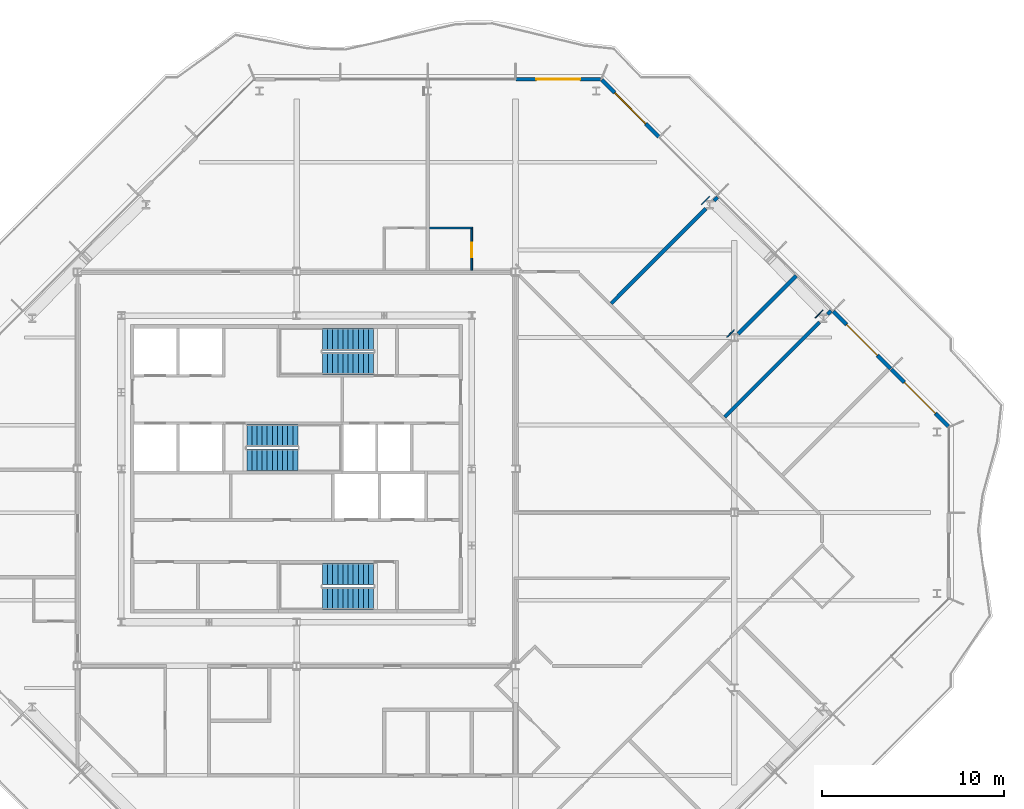
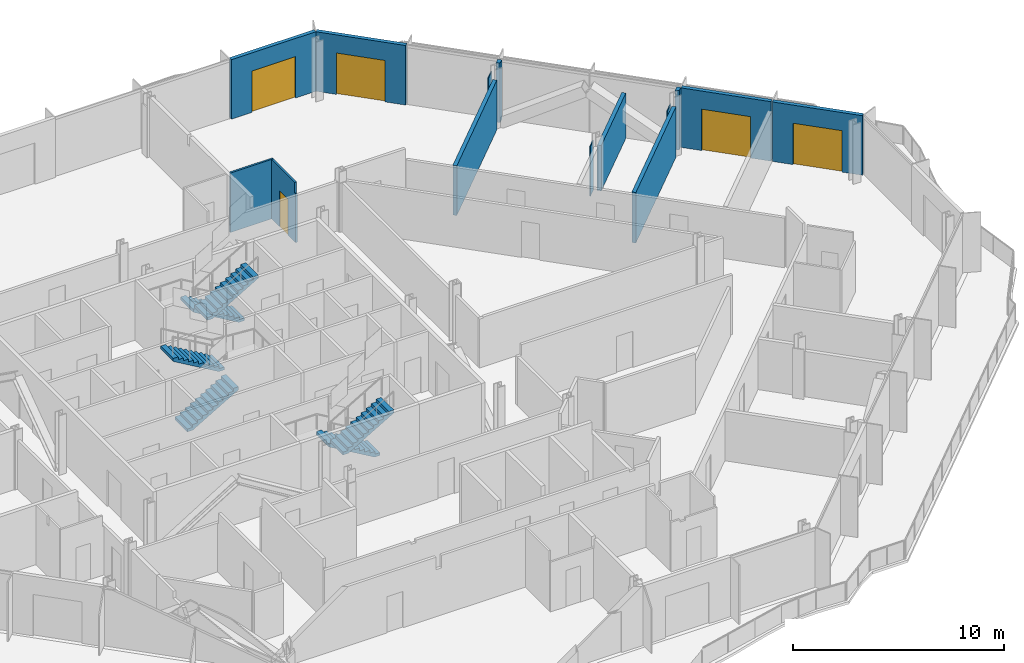
# One storey, part 12 of 17: 14 walls, 6 stair flights, 5 doors, 5 openings, 3 elements without a shape of their own.
"""IFC4 building model written with IfcOpenShell, lengths in metres."""

from ifc_helpers import new_model, si_unit, direction, frame, frame_2d, origin, place, context, subcontext, project, spatial, polyline, rectangle, outline, extrude, material, layer, layer_set, type_object, element, fill, aggregate, save


model = new_model("IFC4")

# Units and contexts
model_context = context("Model", 3, precision=1e-05, world=origin(), true_north=direction((0.0, 1.0)))
body_context = subcontext(model_context, "Body", "Model", "MODEL_VIEW")
ifc_project = project(units=[si_unit("LENGTHUNIT", "METRE"), si_unit("AREAUNIT", "SQUARE_METRE"), si_unit("VOLUMEUNIT", "CUBIC_METRE"), si_unit("PLANEANGLEUNIT", "RADIAN"), si_unit("MASSUNIT", "GRAM", prefix="KILO")], contexts=[model_context])

# Site, building, storey
site_placement = place(None, origin())
site = spatial("IfcSite", under=ifc_project, at=site_placement, CompositionType="ELEMENT")
building_placement = place(site_placement, origin())
building = spatial("IfcBuilding", under=site, at=building_placement, Name="Cairn Pilgrim Tower", CompositionType="ELEMENT")
storey_placement = place(building_placement, frame((0.0, 0.0, 210.60009765625)))
storey = spatial("IfcBuildingStorey", under=building, at=storey_placement, Name="L53", CompositionType="ELEMENT", Elevation=210.60009765625)

# Wall, opening, door
ifc_material_1 = material(Name="Bronze anodised aluminium insulated sandwich panel with mineral wool fill", Category="aluminium")
ifc_layer_1 = layer(ifc_material_1, 0.199951171875)
ifc_layer_set_1 = layer_set([ifc_layer_1], Name="BRONZE INFILL FRAME WALL 200")
wall_type_1 = type_object("IfcWallType", Name="BRONZE INFILL FRAME WALL 200", PredefinedType="NOTDEFINED", material=ifc_layer_set_1)
wall_1_placement = place(storey_placement, frame((42.921630859375, 4.724609375, 0.0), z_axis=(0.0, 0.0, 1.0), x_axis=(-0.707079168996, 0.707134392299, 0.0)))
wall_1 = element("IfcWall", 1, at=wall_1_placement, inside=storey, type_object=wall_type_1, Name="Bronze infill frame wall IW-NE1", PredefinedType="NOTDEFINED", context=body_context, shape_type="SweptSolid", body=[
    extrude(rectangle(XDim=4.4208984375, YDim=0.199951171875, at=frame_2d((2.21044921875, 0.0))), origin(), (0.0, 0.0, 1.0), 3.449951171875),
])
opening_1_placement = place(wall_1_placement, frame((1.00537109375, 0.0, 0.0)))
opening_1 = element("IfcOpeningElement", 2, at=opening_1_placement, cuts=wall_1, Name="Opening 5304B2", PredefinedType="OPENING", context=body_context, shape_type="SweptSolid", body=[
    extrude(rectangle(XDim=2.39990234375, YDim=2.39990234375, at=frame_2d((1.199951171875, 1.199951171875))), frame((0.0, 0.10986328125, 0.0), z_axis=(0.0, -1.0, 0.0), x_axis=(1.0, 0.0, 0.0)), (0.0, 0.0, 1.0), 0.219970703125),
])
ifc_material_2 = material(Name="Bronze anodised aluminium frame with tinted low-E glass", Category="aluminium")
door_type_1 = type_object("IfcDoorType", Name="BALCONY SLIDING DOOR 2400x2400", OperationType="DOUBLE_DOOR_SLIDING", PredefinedType="DOOR", material=ifc_material_2)
door_1_placement = place(opening_1_placement, origin())
door_1 = element("IfcDoor", 3, at=door_1_placement, inside=storey, type_object=door_type_1, Name="Balcony sliding door 5304B2", OperationType="SINGLE_SWING_LEFT", OverallHeight=2.39990234375, OverallWidth=2.39990234375, PredefinedType="DOOR", context=body_context, shape_type="SweptSolid", body=[
    extrude(rectangle(XDim=2.39990234375, YDim=2.39990234375, at=frame_2d((1.199951171875, 1.199951171875))), frame((0.0, 0.02490234375, 0.0), z_axis=(0.0, -1.0, 0.0), x_axis=(1.0, 0.0, 0.0)), (0.0, 0.0, 1.0), 0.050048828125),
])
fill(opening_1, door_1)

wall_2_placement = place(storey_placement, frame((39.753173828125, 7.893310546875, 0.0), z_axis=(0.0, 0.0, 1.0), x_axis=(-0.707106781187, 0.707106781187, 0.0)))
wall_2 = element("IfcWall", 4, at=wall_2_placement, inside=storey, type_object=wall_type_1, Name="Bronze infill frame wall IW-NE2", PredefinedType="NOTDEFINED", context=body_context, shape_type="SweptSolid", body=[
    extrude(rectangle(XDim=4.430908203125, YDim=0.199951171875, at=frame_2d((2.21533203125, 0.0))), origin(), (0.0, 0.0, 1.0), 3.449951171875),
])
opening_2_placement = place(wall_2_placement, frame((1.015625, 0.0, 0.0)))
opening_2 = element("IfcOpeningElement", 5, at=opening_2_placement, cuts=wall_2, Name="Opening 5305B", PredefinedType="OPENING", context=body_context, shape_type="SweptSolid", body=[
    extrude(rectangle(XDim=2.39990234375, YDim=2.39990234375, at=frame_2d((1.199951171875, 1.199951171875))), frame((0.0, 0.10986328125, 0.0), z_axis=(0.0, -1.0, 0.0), x_axis=(1.0, 0.0, 0.0)), (0.0, 0.0, 1.0), 0.219970703125),
])
door_2_placement = place(opening_2_placement, origin())
door_2 = element("IfcDoor", 6, at=door_2_placement, inside=storey, type_object=door_type_1, Name="Balcony sliding door 5305B", OperationType="SINGLE_SWING_LEFT", OverallHeight=2.39990234375, OverallWidth=2.39990234375, PredefinedType="DOOR", context=body_context, shape_type="SweptSolid", body=[
    extrude(rectangle(XDim=2.39990234375, YDim=2.39990234375, at=frame_2d((1.199951171875, 1.199951171875))), frame((0.0, 0.02490234375, 0.0), z_axis=(0.0, -1.0, 0.0), x_axis=(1.0, 0.0, 0.0)), (0.0, 0.0, 1.0), 0.050048828125),
])
fill(opening_2, door_2)

wall_3_placement = place(storey_placement, frame((27.05078125, 20.595703125, 0.0), z_axis=(0.0, 0.0, 1.0), x_axis=(-0.707106781187, 0.707106781187, 0.0)))
wall_3 = element("IfcWall", 7, at=wall_3_placement, inside=storey, type_object=wall_type_1, Name="Bronze infill frame wall IW-NE6", PredefinedType="NOTDEFINED", context=body_context, shape_type="SweptSolid", body=[
    extrude(rectangle(XDim=4.4208984375, YDim=0.199951171875, at=frame_2d((2.21044921875, 0.0))), origin(), (0.0, 0.0, 1.0), 3.449951171875),
])
opening_3_placement = place(wall_3_placement, frame((1.01513671875, 0.0, 0.0)))
opening_3 = element("IfcOpeningElement", 8, at=opening_3_placement, cuts=wall_3, Name="Opening 5308B", PredefinedType="OPENING", context=body_context, shape_type="SweptSolid", body=[
    extrude(rectangle(XDim=2.39990234375, YDim=2.39990234375, at=frame_2d((1.199951171875, 1.199951171875))), frame((0.0, 0.10986328125, 0.0), z_axis=(0.0, -1.0, 0.0), x_axis=(1.0, 0.0, 0.0)), (0.0, 0.0, 1.0), 0.219970703125),
])
door_3_placement = place(opening_3_placement, origin())
door_3 = element("IfcDoor", 9, at=door_3_placement, inside=storey, type_object=door_type_1, Name="Balcony sliding door 5308B", OperationType="SINGLE_SWING_LEFT", OverallHeight=2.39990234375, OverallWidth=2.39990234375, PredefinedType="DOOR", context=body_context, shape_type="SweptSolid", body=[
    extrude(rectangle(XDim=2.39990234375, YDim=2.39990234375, at=frame_2d((1.199951171875, 1.199951171875))), frame((0.0, 0.02490234375, 0.0), z_axis=(0.0, -1.0, 0.0), x_axis=(1.0, 0.0, 0.0)), (0.0, 0.0, 1.0), 0.050048828125),
])
fill(opening_3, door_3)

wall_4_placement = place(storey_placement, frame((23.8564453125, 23.75, 0.0), z_axis=(0.0, 0.0, 1.0), x_axis=(-1.0, 0.0, 0.0)))
wall_4 = element("IfcWall", 10, at=wall_4_placement, inside=storey, type_object=wall_type_1, Name="Bronze infill frame wall IW-N1", PredefinedType="NOTDEFINED", context=body_context, shape_type="SweptSolid", body=[
    extrude(rectangle(XDim=4.62646484375, YDim=0.199951171875, at=frame_2d((2.313232421875, 0.0))), origin(), (0.0, 0.0, 1.0), 3.449951171875),
])
opening_4_placement = place(wall_4_placement, frame((1.1083984375, 0.0, 0.0)))
opening_4 = element("IfcOpeningElement", 11, at=opening_4_placement, cuts=wall_4, Name="Opening 5308B2", PredefinedType="OPENING", context=body_context, shape_type="SweptSolid", body=[
    extrude(rectangle(XDim=2.39990234375, YDim=2.39990234375, at=frame_2d((1.199951171875, 1.199951171875))), frame((0.0, 0.10986328125, 0.0), z_axis=(0.0, -1.0, 0.0), x_axis=(1.0, 0.0, 0.0)), (0.0, 0.0, 1.0), 0.219970703125),
])
door_4_placement = place(opening_4_placement, origin())
door_4 = element("IfcDoor", 12, at=door_4_placement, inside=storey, type_object=door_type_1, Name="Balcony sliding door 5308B2", OperationType="SINGLE_SWING_LEFT", OverallHeight=2.39990234375, OverallWidth=2.39990234375, PredefinedType="DOOR", context=body_context, shape_type="SweptSolid", body=[
    extrude(rectangle(XDim=2.39990234375, YDim=2.39990234375, at=frame_2d((1.199951171875, 1.199951171875))), frame((0.0, 0.02490234375, 0.0), z_axis=(0.0, -1.0, 0.0), x_axis=(1.0, 0.0, 0.0)), (0.0, 0.0, 1.0), 0.050048828125),
])
fill(opening_4, door_4)

ifc_material_3 = material(Name="Gypsum partition")
ifc_layer_2 = layer(ifc_material_3, 0.10009765625)
ifc_layer_set_2 = layer_set([ifc_layer_2], Name="PARTITION 100 DRYWALL")
wall_type_2 = type_object("IfcWallType", Name="PARTITION 100 DRYWALL", PredefinedType="PARTITIONING", material=ifc_layer_set_2)
wall_5_placement = place(storey_placement, frame((16.800048828125, 13.27490234375, 0.0), z_axis=(0.0, 0.0, 1.0), x_axis=(0.0, 1.0, 0.0)))
wall_5 = element("IfcWall", 13, at=wall_5_placement, inside=storey, type_object=wall_type_2, Name="PARTITION W071", PredefinedType="PARTITIONING", context=body_context, shape_type="SweptSolid", body=[
    extrude(outline(polyline([(0.0, 0.0), (2.275146484375, 0.0), (2.27490234375, 3.449951171875), (0.074951171875, 3.449951171875), (0.072998046875, 2.829833984375), (0.0, 2.829833984375), (0.0, 0.0)])), frame((0.0, 0.050048828125, 0.0), z_axis=(0.0, -1.0, 0.0), x_axis=(1.0, 0.0, 0.0)), (0.0, 0.0, 1.0), 0.10009765625),
])
opening_5_placement = place(wall_5_placement, frame((0.72509765625, 0.0, 0.0)))
opening_5 = element("IfcOpeningElement", 14, at=opening_5_placement, cuts=wall_5, Name="Opening 5308A", PredefinedType="OPENING", context=body_context, shape_type="SweptSolid", body=[
    extrude(rectangle(XDim=0.800048828125, YDim=2.10009765625, at=frame_2d((0.39990234375, 1.050048828125))), frame((0.0, 0.06005859375, 0.0), z_axis=(0.0, -1.0, 0.0), x_axis=(1.0, 0.0, 0.0)), (0.0, 0.0, 1.0), 0.1201171875),
])
ifc_material_4 = material(Name="Timber door leaf", Category="wood")
door_type_2 = type_object("IfcDoorType", Name="WC DOOR 800x2100", OperationType="NOTDEFINED", PredefinedType="DOOR", material=ifc_material_4)
door_5_placement = place(opening_5_placement, frame((0.800048828125, 0.0, 0.0), z_axis=(0.0, 0.0, 1.0), x_axis=(-1.0, 0.0, 0.0)))
door_5 = element("IfcDoor", 15, at=door_5_placement, inside=storey, type_object=door_type_2, Name="DOOR 5308A", OperationType="SINGLE_SWING_LEFT", OverallHeight=2.10009765625, OverallWidth=0.800048828125, PredefinedType="DOOR", context=body_context, shape_type="SweptSolid", body=[
    extrude(rectangle(XDim=0.800048828125, YDim=2.10009765625, at=frame_2d((0.39990234375, 1.050048828125))), frame((0.0, 0.02490234375, 0.0), z_axis=(0.0, -1.0, 0.0), x_axis=(1.0, 0.0, 0.0)), (0.0, 0.0, 1.0), 0.050048828125),
])
fill(opening_5, door_5)

# Walls
wall_6_placement = place(storey_placement, frame((14.5, 15.60009765625, 0.0), z_axis=(0.0, 0.0, 1.0), x_axis=(1.0, 0.0, 0.0)))
element("IfcWall", 16, at=wall_6_placement, inside=storey, type_object=wall_type_2, Name="PARTITION W073", PredefinedType="PARTITIONING", context=body_context, shape_type="SweptSolid", body=[
    extrude(rectangle(XDim=2.35009765625, YDim=0.10009765625, at=frame_2d((1.175048828125, 0.0))), origin(), (0.0, 0.0, 1.0), 3.449951171875),
])
ifc_layer_3 = layer(ifc_material_3, 0.050048828125)
ifc_layer_set_3 = layer_set([ifc_layer_3], Name="PARTITION 50 DRYWALL EI 60")
wall_type_3 = type_object("IfcWallType", Name="PARTITION 50 DRYWALL EI 60", PredefinedType="PARTITIONING", material=ifc_layer_set_3)
wall_7_placement = place(storey_placement, frame((35.626953125, 10.669189453125, 0.0), z_axis=(0.0, 0.0, 1.0), x_axis=(0.707307009627, 0.706906496032, 0.0)))
element("IfcWall", 17, at=wall_7_placement, inside=storey, type_object=wall_type_3, Name="COLUMN CASING WC19", PredefinedType="PARTITIONING", context=body_context, shape_type="SweptSolid", body=[
    extrude(rectangle(XDim=0.609619140625, YDim=0.050048828125, at=frame_2d((0.3046875, 0.0))), origin(), (0.0, 0.0, 1.0), 2.6298828125),
])
wall_8_placement = place(storey_placement, frame((30.786376953125, 9.61767578125, 0.0), z_axis=(0.0, 0.0, 1.0), x_axis=(0.707106781187, 0.707106781187, 0.0)))
element("IfcWall", 18, at=wall_8_placement, inside=storey, type_object=wall_type_3, Name="COLUMN CASING WC20", PredefinedType="PARTITIONING", context=body_context, shape_type="SweptSolid", body=[
    extrude(rectangle(XDim=0.56005859375, YDim=0.050048828125, at=frame_2d((0.280029296875, 0.0))), origin(), (0.0, 0.0, 1.0), 2.8798828125),
])
wall_9_placement = place(storey_placement, frame((29.40283203125, 16.893310546875, 0.0), z_axis=(0.0, 0.0, 1.0), x_axis=(0.706906496032, 0.707307009627, 0.0)))
element("IfcWall", 19, at=wall_9_placement, inside=storey, type_object=wall_type_3, Name="COLUMN CASING WC21", PredefinedType="PARTITIONING", context=body_context, shape_type="SweptSolid", body=[
    extrude(rectangle(XDim=0.609619140625, YDim=0.050048828125, at=frame_2d((0.3046875, 0.0))), origin(), (0.0, 0.0, 1.0), 2.929931640625),
])
ifc_layer_4 = layer(ifc_material_3, 0.199951171875)
ifc_layer_set_4 = layer_set([ifc_layer_4], Name="SHAFT WALL 200 GYPSUM EI 60")
wall_type_4 = type_object("IfcWallType", Name="SHAFT WALL 200 GYPSUM EI 60", PredefinedType="PARTITIONING", material=ifc_layer_set_4)
wall_10_placement = place(storey_placement, frame((30.662109375, 5.238037109375, 0.0), z_axis=(0.0, 0.0, 1.0), x_axis=(0.707106781187, 0.707106781187, 0.0)))
element("IfcWall", 20, at=wall_10_placement, inside=storey, type_object=wall_type_4, Name="PARTITION W061", PredefinedType="PARTITIONING", context=body_context, shape_type="SweptSolid", body=[
    extrude(rectangle(XDim=7.35107421875, YDim=0.199951171875, at=frame_2d((3.675537109375, 0.0))), origin(), (0.0, 0.0, 1.0), 2.929931640625),
])
wall_11_placement = place(storey_placement, frame((31.39794921875, 9.798095703125, 0.0), z_axis=(0.0, 0.0, 1.0), x_axis=(0.707133900936, 0.707079660397, 0.0)))
element("IfcWall", 21, at=wall_11_placement, inside=storey, type_object=wall_type_4, Name="PARTITION W063", PredefinedType="PARTITIONING", context=body_context, shape_type="SweptSolid", body=[
    extrude(rectangle(XDim=4.5009765625, YDim=0.199951171875, at=frame_2d((2.25048828125, 0.0))), origin(), (0.0, 0.0, 1.0), 2.6298828125),
])
wall_12_placement = place(storey_placement, frame((36.291015625, 10.8671875, 0.0), z_axis=(0.0, 0.0, 1.0), x_axis=(0.707534423513, 0.706678880075, 0.0)))
element("IfcWall", 22, at=wall_12_placement, inside=storey, type_object=wall_type_4, Name="PARTITION W064", PredefinedType="PARTITIONING", context=body_context, shape_type="SweptSolid", body=[
    extrude(rectangle(XDim=0.285400390625, YDim=0.199951171875, at=frame_2d((0.142578125, 0.0))), origin(), (0.0, 0.0, 1.0), 3.449951171875),
])
wall_13_placement = place(storey_placement, frame((24.43798828125, 11.4619140625, 0.0), z_axis=(0.0, 0.0, 1.0), x_axis=(0.707090175614, 0.707123386369, 0.0)))
element("IfcWall", 23, at=wall_13_placement, inside=storey, type_object=wall_type_4, Name="PARTITION W065", PredefinedType="PARTITIONING", context=body_context, shape_type="SweptSolid", body=[
    extrude(rectangle(XDim=7.351318359375, YDim=0.199951171875, at=frame_2d((3.67578125, 0.0))), origin(), (0.0, 0.0, 1.0), 2.8798828125),
])
wall_14_placement = place(storey_placement, frame((30.067138671875, 17.091064453125, 0.0), z_axis=(0.0, 0.0, 1.0), x_axis=(0.707106781187, 0.707106781187, 0.0)))
element("IfcWall", 24, at=wall_14_placement, inside=storey, type_object=wall_type_4, Name="PARTITION W074", PredefinedType="PARTITIONING", context=body_context, shape_type="SweptSolid", body=[
    extrude(rectangle(XDim=0.28515625, YDim=0.199951171875, at=frame_2d((0.142578125, 0.0))), origin(), (0.0, 0.0, 1.0), 3.449951171875),
])

# Stair, stair flights
ifc_material_5 = material(Name="Concrete C32/40", Category="concrete")
stair_type = type_object("IfcStairType", Name="EXIT STAIR 1200", PredefinedType="HALF_TURN_STAIR", material=ifc_material_5)
stair_1_placement = place(storey_placement, origin())
stair_1 = element("IfcStair", 25, at=stair_1_placement, inside=storey, type_object=stair_type, Name="L53 Exit Stair A", PredefinedType="HALF_TURN_STAIR")
stair_flight_type = type_object("IfcStairFlightType", Name="STAIR FLIGHT 1200", PredefinedType="STRAIGHT", material=ifc_material_5)
stair_flight_1_placement = place(storey_placement, frame((11.425048828125, -3.375, 0.0), z_axis=(0.0, 0.0, 1.0), x_axis=(-1.0, 0.0, 0.0)))
stair_flight_1 = element("IfcStairFlight", 26, at=stair_flight_1_placement, type_object=stair_flight_type, Name="ST-A flight 1", NumberOfRisers=11, NumberOfTreads=10, PredefinedType="STRAIGHT", RiserHeight=0.163636364, TreadLength=0.28, context=body_context, shape_type="SweptSolid", body=[
    extrude(outline(polyline([(0.0, 0.0), (0.0, 0.16357421875), (0.280029296875, 0.16357421875), (0.280029296875, 0.327392578125), (0.56005859375, 0.327392578125), (0.56005859375, 0.490966796875), (0.840087890625, 0.490966796875), (0.840087890625, 0.654541015625), (1.1201171875, 0.654541015625), (1.1201171875, 0.818115234375), (1.39990234375, 0.818115234375), (1.39990234375, 0.98193359375), (1.679931640625, 0.98193359375), (1.679931640625, 1.1455078125), (1.9599609375, 1.1455078125), (1.9599609375, 1.30908203125), (2.239990234375, 1.30908203125), (2.239990234375, 1.47265625), (2.52001953125, 1.47265625), (2.52001953125, 1.636474609375), (2.800048828125, 1.636474609375), (2.800048828125, 1.800048828125), (2.800048828125, 1.462646484375), (0.297119140625, 0.0), (0.0, 0.0)])), frame((0.0, 0.60009765625, 0.0), z_axis=(0.0, -1.0, 0.0), x_axis=(1.0, 0.0, 0.0)), (0.0, 0.0, 1.0), 1.199951171875),
])
stair_flight_2_placement = place(storey_placement, frame((8.625, -4.699951171875, 1.7998046875), z_axis=(0.0, 0.0, 1.0), x_axis=(1.0, 0.0, 0.0)))
stair_flight_2 = element("IfcStairFlight", 27, at=stair_flight_2_placement, type_object=stair_flight_type, Name="ST-A flight 2", NumberOfRisers=11, NumberOfTreads=10, PredefinedType="STRAIGHT", RiserHeight=0.163636364, TreadLength=0.28, context=body_context, shape_type="SweptSolid", body=[
    extrude(outline(polyline([(0.0, 0.0), (0.0, 0.16357421875), (0.280029296875, 0.16357421875), (0.280029296875, 0.327392578125), (0.56005859375, 0.327392578125), (0.56005859375, 0.490966796875), (0.840087890625, 0.490966796875), (0.840087890625, 0.654541015625), (1.1201171875, 0.654541015625), (1.1201171875, 0.818115234375), (1.39990234375, 0.818115234375), (1.39990234375, 0.98193359375), (1.679931640625, 0.98193359375), (1.679931640625, 1.1455078125), (1.9599609375, 1.1455078125), (1.9599609375, 1.30908203125), (2.239990234375, 1.30908203125), (2.239990234375, 1.47265625), (2.52001953125, 1.47265625), (2.52001953125, 1.636474609375), (2.800048828125, 1.636474609375), (2.800048828125, 1.800048828125), (2.800048828125, 1.462646484375), (0.297119140625, 0.0), (0.0, 0.0)])), frame((0.0, 0.60009765625, 0.0), z_axis=(0.0, -1.0, 0.0), x_axis=(1.0, 0.0, 0.0)), (0.0, 0.0, 1.0), 1.199951171875),
])
aggregate(stair_1, [stair_flight_1, stair_flight_2])

stair_2_placement = place(storey_placement, origin())
stair_2 = element("IfcStair", 28, at=stair_2_placement, inside=storey, type_object=stair_type, Name="L53 Exit Stair B", PredefinedType="HALF_TURN_STAIR")
stair_flight_3_placement = place(storey_placement, frame((4.47509765625, 2.875, 0.0), z_axis=(0.0, 0.0, 1.0), x_axis=(1.0, 0.0, 0.0)))
stair_flight_3 = element("IfcStairFlight", 29, at=stair_flight_3_placement, type_object=stair_flight_type, Name="ST-B flight 1", NumberOfRisers=11, NumberOfTreads=10, PredefinedType="STRAIGHT", RiserHeight=0.163636364, TreadLength=0.28, context=body_context, shape_type="SweptSolid", body=[
    extrude(outline(polyline([(0.0, 0.0), (0.0, 0.16357421875), (0.280029296875, 0.16357421875), (0.280029296875, 0.327392578125), (0.56005859375, 0.327392578125), (0.56005859375, 0.490966796875), (0.840087890625, 0.490966796875), (0.840087890625, 0.654541015625), (1.1201171875, 0.654541015625), (1.1201171875, 0.818115234375), (1.39990234375, 0.818115234375), (1.39990234375, 0.98193359375), (1.679931640625, 0.98193359375), (1.679931640625, 1.1455078125), (1.9599609375, 1.1455078125), (1.9599609375, 1.30908203125), (2.239990234375, 1.30908203125), (2.239990234375, 1.47265625), (2.52001953125, 1.47265625), (2.52001953125, 1.636474609375), (2.800048828125, 1.636474609375), (2.800048828125, 1.800048828125), (2.800048828125, 1.462646484375), (0.297119140625, 0.0), (0.0, 0.0)])), frame((0.0, 0.60009765625, 0.0), z_axis=(0.0, -1.0, 0.0), x_axis=(1.0, 0.0, 0.0)), (0.0, 0.0, 1.0), 1.199951171875),
])
stair_flight_4_placement = place(storey_placement, frame((7.27490234375, 4.22509765625, 1.7998046875), z_axis=(0.0, 0.0, 1.0), x_axis=(-1.0, 0.0, 0.0)))
stair_flight_4 = element("IfcStairFlight", 30, at=stair_flight_4_placement, type_object=stair_flight_type, Name="ST-B flight 2", NumberOfRisers=11, NumberOfTreads=10, PredefinedType="STRAIGHT", RiserHeight=0.163636364, TreadLength=0.28, context=body_context, shape_type="SweptSolid", body=[
    extrude(outline(polyline([(0.0, 0.0), (0.0, 0.16357421875), (0.280029296875, 0.16357421875), (0.280029296875, 0.327392578125), (0.56005859375, 0.327392578125), (0.56005859375, 0.490966796875), (0.840087890625, 0.490966796875), (0.840087890625, 0.654541015625), (1.1201171875, 0.654541015625), (1.1201171875, 0.818115234375), (1.39990234375, 0.818115234375), (1.39990234375, 0.98193359375), (1.679931640625, 0.98193359375), (1.679931640625, 1.1455078125), (1.9599609375, 1.1455078125), (1.9599609375, 1.30908203125), (2.239990234375, 1.30908203125), (2.239990234375, 1.47265625), (2.52001953125, 1.47265625), (2.52001953125, 1.636474609375), (2.800048828125, 1.636474609375), (2.800048828125, 1.800048828125), (2.800048828125, 1.462646484375), (0.297119140625, 0.0), (0.0, 0.0)])), frame((0.0, 0.60009765625, 0.0), z_axis=(0.0, -1.0, 0.0), x_axis=(1.0, 0.0, 0.0)), (0.0, 0.0, 1.0), 1.199951171875),
])
aggregate(stair_2, [stair_flight_3, stair_flight_4])

stair_3_placement = place(storey_placement, origin())
stair_3 = element("IfcStair", 31, at=stair_3_placement, inside=storey, type_object=stair_type, Name="L53 Exit Stair C", PredefinedType="HALF_TURN_STAIR")
stair_flight_5_placement = place(storey_placement, frame((11.425048828125, 9.5, 0.0), z_axis=(0.0, 0.0, 1.0), x_axis=(-1.0, 0.0, 0.0)))
stair_flight_5 = element("IfcStairFlight", 32, at=stair_flight_5_placement, type_object=stair_flight_type, Name="ST-C flight 1", NumberOfRisers=11, NumberOfTreads=10, PredefinedType="STRAIGHT", RiserHeight=0.163636364, TreadLength=0.28, context=body_context, shape_type="SweptSolid", body=[
    extrude(outline(polyline([(0.0, 0.0), (0.0, 0.16357421875), (0.280029296875, 0.16357421875), (0.280029296875, 0.327392578125), (0.56005859375, 0.327392578125), (0.56005859375, 0.490966796875), (0.840087890625, 0.490966796875), (0.840087890625, 0.654541015625), (1.1201171875, 0.654541015625), (1.1201171875, 0.818115234375), (1.39990234375, 0.818115234375), (1.39990234375, 0.98193359375), (1.679931640625, 0.98193359375), (1.679931640625, 1.1455078125), (1.9599609375, 1.1455078125), (1.9599609375, 1.30908203125), (2.239990234375, 1.30908203125), (2.239990234375, 1.47265625), (2.52001953125, 1.47265625), (2.52001953125, 1.636474609375), (2.800048828125, 1.636474609375), (2.800048828125, 1.800048828125), (2.800048828125, 1.462646484375), (0.297119140625, 0.0), (0.0, 0.0)])), frame((0.0, 0.60009765625, 0.0), z_axis=(0.0, -1.0, 0.0), x_axis=(1.0, 0.0, 0.0)), (0.0, 0.0, 1.0), 1.199951171875),
])
stair_flight_6_placement = place(storey_placement, frame((8.625, 8.175048828125, 1.7998046875), z_axis=(0.0, 0.0, 1.0), x_axis=(1.0, 0.0, 0.0)))
stair_flight_6 = element("IfcStairFlight", 33, at=stair_flight_6_placement, type_object=stair_flight_type, Name="ST-C flight 2", NumberOfRisers=11, NumberOfTreads=10, PredefinedType="STRAIGHT", RiserHeight=0.163636364, TreadLength=0.28, context=body_context, shape_type="SweptSolid", body=[
    extrude(outline(polyline([(0.0, 0.0), (0.0, 0.16357421875), (0.280029296875, 0.16357421875), (0.280029296875, 0.327392578125), (0.56005859375, 0.327392578125), (0.56005859375, 0.490966796875), (0.840087890625, 0.490966796875), (0.840087890625, 0.654541015625), (1.1201171875, 0.654541015625), (1.1201171875, 0.818115234375), (1.39990234375, 0.818115234375), (1.39990234375, 0.98193359375), (1.679931640625, 0.98193359375), (1.679931640625, 1.1455078125), (1.9599609375, 1.1455078125), (1.9599609375, 1.30908203125), (2.239990234375, 1.30908203125), (2.239990234375, 1.47265625), (2.52001953125, 1.47265625), (2.52001953125, 1.636474609375), (2.800048828125, 1.636474609375), (2.800048828125, 1.800048828125), (2.800048828125, 1.462646484375), (0.297119140625, 0.0), (0.0, 0.0)])), frame((0.0, 0.60009765625, 0.0), z_axis=(0.0, -1.0, 0.0), x_axis=(1.0, 0.0, 0.0)), (0.0, 0.0, 1.0), 1.199951171875),
])
aggregate(stair_3, [stair_flight_5, stair_flight_6])

save(model, "model.ifc")
